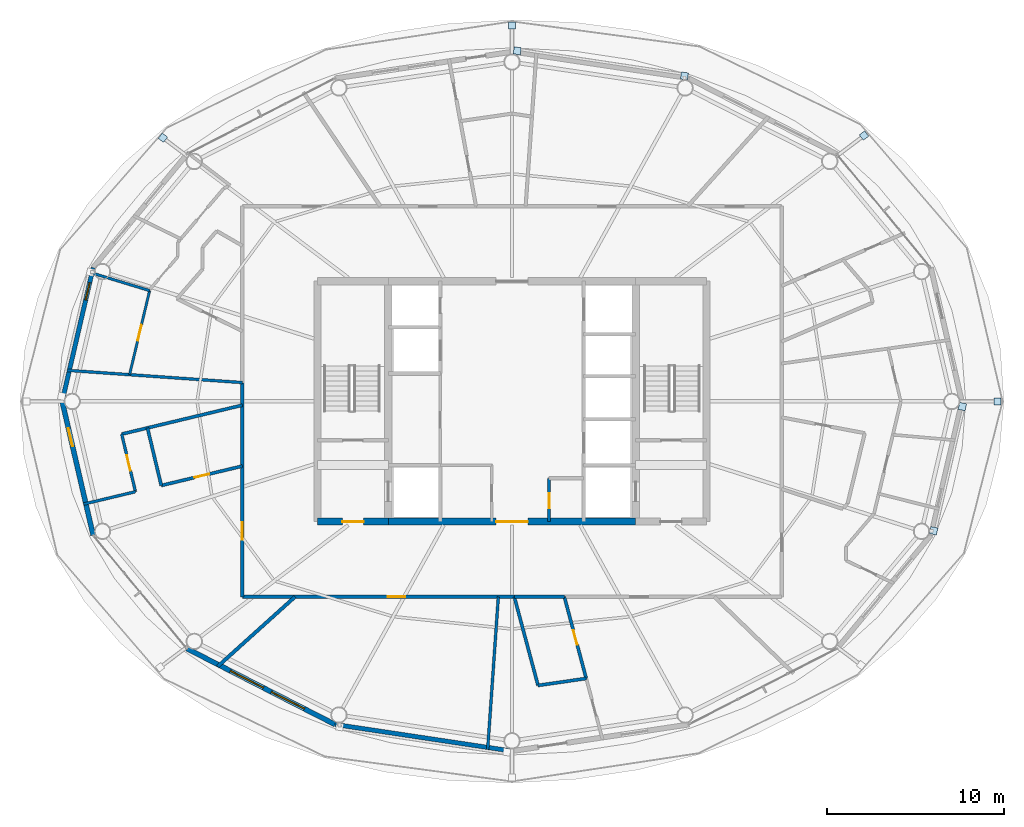
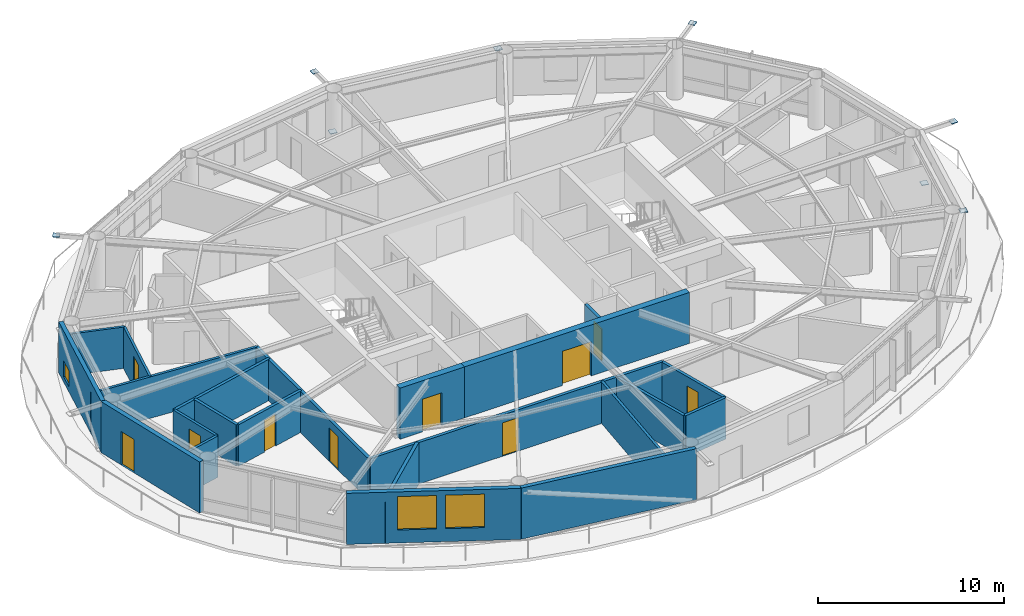
# One storey, part 15 of 22: 23 walls, 10 doors, 8 plates, 3 windows, 13 openings.
"""IFC4 building model written with IfcOpenShell, lengths in metres."""

from ifc_helpers import new_model, si_unit, direction, frame, frame_2d, origin, origin_2d, place, context, subcontext, project, spatial, rectangle, extrude, material, layer, layer_set, type_object, element, fill, save


model = new_model("IFC4")

# Units and contexts
model_context = context("Model", 3, precision=1e-05, world=origin(), true_north=direction((0.0, 1.0)))
body_context = subcontext(model_context, "Body", "Model", "MODEL_VIEW")
ifc_project = project(units=[si_unit("LENGTHUNIT", "METRE"), si_unit("AREAUNIT", "SQUARE_METRE"), si_unit("VOLUMEUNIT", "CUBIC_METRE"), si_unit("PLANEANGLEUNIT", "RADIAN"), si_unit("MASSUNIT", "GRAM", prefix="KILO")], contexts=[model_context])

# Site, building, storey
site_placement = place(None, origin())
site = spatial("IfcSite", under=ifc_project, at=site_placement, CompositionType="ELEMENT")
building_placement = place(site_placement, origin())
building = spatial("IfcBuilding", under=site, at=building_placement, Name="Sarneth Arch Tower", CompositionType="ELEMENT")
storey_placement = place(building_placement, frame((0.0, 0.0, 210.0)))
storey = spatial("IfcBuildingStorey", under=building, at=storey_placement, Name="L53", CompositionType="ELEMENT", Elevation=210.0)

# Plates
ifc_material_1 = material(Name="Steel S355", Category="steel")
ifc_layer_1 = layer(ifc_material_1, 0.035888671875)
ifc_layer_set_1 = layer_set([ifc_layer_1], Name="Steel S355")
plate_type = type_object("IfcPlateType", Name="PLT-GUSSET-30", PredefinedType="SHEET", material=ifc_layer_set_1)
for number, where, z_axis, x_axis, name in (
    (1, (75.463134765625, 42.0, 3.18212890625), (0.0, 0.0, 1.0), (1.0, 0.0, 0.0), "Steel end cap plate GP-1"),
    (2, (67.91259765625, 57.039794921875, 3.18212890625), (0.0, 0.0, 1.0), (0.798004853043, 0.602651022168, 0.0), "Steel end cap plate GP-1"),
):
    element("IfcPlate", number, at=place(storey_placement, frame(where, z_axis=z_axis, x_axis=x_axis)), inside=storey, type_object=plate_type, Name=name, PredefinedType="SHEET", context=body_context, shape_type="SweptSolid", body=[
        extrude(rectangle(XDim=0.3798828125, YDim=0.3798828125, at=origin_2d()), origin(), (0.0, 0.0, 1.0), 0.035888671875),
    ])
for number, where, z_axis, x_axis, name in (
    (3, (48.296630859375, 61.83544921875, 0.001953125), (0.0, 0.0, 1.0), (-0.988860535448, 0.148845024885, 0.0), "Steel end cap plate GP-1"),
    (4, (57.754150390625, 60.411376953125, 3.0185546875), (0.0, 0.0, 1.0), (-0.988860535448, 0.148845024885, 0.0), "Steel end cap plate GP-1"),
):
    element("IfcPlate", number, at=place(storey_placement, frame(where, z_axis=z_axis, x_axis=x_axis)), inside=storey, type_object=plate_type, Name=name, PredefinedType="SHEET", context=body_context, shape_type="SweptSolid", body=[
        extrude(rectangle(XDim=0.404052734375, YDim=0.404052734375, at=origin_2d()), origin(), (0.0, 0.0, 1.0), 0.035888671875),
    ])
for number, where, z_axis, x_axis, name in (
    (5, (48.0, 63.27001953125, 3.18212890625), (0.0, 0.0, 1.0), (0.0, 1.0, 0.0), "Steel end cap plate GP-1"),
    (6, (28.251708984375, 56.91552734375, 3.18212890625), (0.0, 0.0, 1.0), (-0.798004853043, 0.602651022168, 0.0), "Steel end cap plate GP-1"),
):
    element("IfcPlate", number, at=place(storey_placement, frame(where, z_axis=z_axis, x_axis=x_axis)), inside=storey, type_object=plate_type, Name=name, PredefinedType="SHEET", context=body_context, shape_type="SweptSolid", body=[
        extrude(rectangle(XDim=0.3798828125, YDim=0.3798828125, at=origin_2d()), origin(), (0.0, 0.0, 1.0), 0.035888671875),
    ])
for number, where, z_axis, x_axis, name in (
    (7, (73.4765625, 41.707763671875, 0.001953125), (0.0, 0.0, 1.0), (0.225461202458, 0.974252147129, 0.0), "Steel end cap plate GP-1"),
    (8, (71.851806640625, 34.6845703125, 3.0185546875), (0.0, 0.0, 1.0), (0.225461202458, 0.974252147129, 0.0), "Steel end cap plate GP-1"),
):
    element("IfcPlate", number, at=place(storey_placement, frame(where, z_axis=z_axis, x_axis=x_axis)), inside=storey, type_object=plate_type, Name=name, PredefinedType="SHEET", context=body_context, shape_type="SweptSolid", body=[
        extrude(rectangle(XDim=0.404052734375, YDim=0.404052734375, at=origin_2d()), origin(), (0.0, 0.0, 1.0), 0.035888671875),
    ])

# Wall, opening, door
ifc_material_2 = material(Name="Concrete C50/60", Category="concrete")
ifc_layer_2 = layer(ifc_material_2, 0.39990234375)
ifc_layer_set_2 = layer_set([ifc_layer_2], Name="Concrete C50/60")
wall_type_1 = type_object("IfcWallType", Name="WALL-CORE-400", PredefinedType="SHEAR", material=ifc_layer_set_2)
wall_1_placement = place(storey_placement, frame((37.0, 35.199951171875, 0.0), z_axis=(0.0, 0.0, 1.0), x_axis=(1.0, 0.0, 0.0)))
wall_1 = element("IfcWall", 9, at=wall_1_placement, inside=storey, type_object=wall_type_1, Name="L53 Core shear wall S-W", PredefinedType="SHEAR", context=body_context, shape_type="SweptSolid", body=[
    extrude(rectangle(XDim=4.0, YDim=0.39990234375, at=frame_2d((2.0, 0.0))), origin(), (0.0, 0.0, 1.0), 3.360107421875),
])
opening_1_placement = place(wall_1_placement, frame((1.39990234375, 0.0, 0.0)))
opening_1 = element("IfcOpeningElement", 10, at=opening_1_placement, cuts=wall_1, Name="Opening FD-02", PredefinedType="OPENING", context=body_context, shape_type="SweptSolid", body=[
    extrude(rectangle(XDim=1.199951171875, YDim=2.14990234375, at=frame_2d((0.60009765625, 1.074951171875))), frame((0.0, 0.2099609375, 0.0), z_axis=(0.0, -1.0, 0.0), x_axis=(1.0, 0.0, 0.0)), (0.0, 0.0, 1.0), 0.419921875),
])
ifc_material_3 = material(Name="Galvanised Steel S275 fire door set", Category="steel")
door_type_1 = type_object("IfcDoorType", Name="DR-FD90-1200", OperationType="SINGLE_SWING_LEFT", PredefinedType="DOOR", material=ifc_material_3)
door_1_placement = place(opening_1_placement, origin())
door_1 = element("IfcDoor", 11, at=door_1_placement, inside=storey, type_object=door_type_1, Name="L53 Firefighting lobby 1 exit door", OperationType="SINGLE_SWING_LEFT", OverallHeight=2.14990234375, OverallWidth=1.199951171875, PredefinedType="DOOR", context=body_context, shape_type="SweptSolid", body=[
    extrude(rectangle(XDim=1.199951171875, YDim=2.14990234375, at=frame_2d((0.60009765625, 1.074951171875))), frame((0.0, 0.02490234375, 0.0), z_axis=(0.0, -1.0, 0.0), x_axis=(1.0, 0.0, 0.0)), (0.0, 0.0, 1.0), 0.050048828125),
])
fill(opening_1, door_1)

wall_2_placement = place(storey_placement, frame((41.0, 35.199951171875, 0.0), z_axis=(0.0, 0.0, 1.0), x_axis=(1.0, 0.0, 0.0)))
wall_2 = element("IfcWall", 12, at=wall_2_placement, inside=storey, type_object=wall_type_1, Name="L53 Core shear wall S-M", PredefinedType="SHEAR", context=body_context, shape_type="SweptSolid", body=[
    extrude(rectangle(XDim=14.0, YDim=0.39990234375, at=frame_2d((7.0, 0.0))), origin(), (0.0, 0.0, 1.0), 3.360107421875),
])
opening_2_placement = place(wall_2_placement, frame((6.10009765625, 0.0, 0.0)))
opening_2 = element("IfcOpeningElement", 13, at=opening_2_placement, cuts=wall_2, Name="Opening FD-01", PredefinedType="OPENING", context=body_context, shape_type="SweptSolid", body=[
    extrude(rectangle(XDim=1.800048828125, YDim=2.25, at=frame_2d((0.89990234375, 1.125))), frame((0.0, 0.2099609375, 0.0), z_axis=(0.0, -1.0, 0.0), x_axis=(1.0, 0.0, 0.0)), (0.0, 0.0, 1.0), 0.419921875),
])
ifc_material_4 = material(Name="Galvanised Steel S275 fire door set", Category="steel")
door_type_2 = type_object("IfcDoorType", Name="DR-FD90-1800", OperationType="DOUBLE_DOOR_SINGLE_SWING", PredefinedType="DOOR", material=ifc_material_4)
door_2_placement = place(opening_2_placement, origin())
door_2 = element("IfcDoor", 14, at=door_2_placement, inside=storey, type_object=door_type_2, Name="L53 Central lift lobby south door", OperationType="DOUBLE_DOOR_SINGLE_SWING", OverallHeight=2.25, OverallWidth=1.800048828125, PredefinedType="DOOR", context=body_context, shape_type="SweptSolid", body=[
    extrude(rectangle(XDim=1.800048828125, YDim=2.25, at=frame_2d((0.89990234375, 1.125))), frame((0.0, 0.02490234375, 0.0), z_axis=(0.0, -1.0, 0.0), x_axis=(1.0, 0.0, 0.0)), (0.0, 0.0, 1.0), 0.050048828125),
])
fill(opening_2, door_2)

ifc_material_5 = material(Name="Double steel-stud corridor fire wall", Category="steel")
ifc_layer_3 = layer(ifc_material_5, 0.18994140625)
ifc_layer_set_3 = layer_set([ifc_layer_3], Name="Double steel-stud corridor fire wall")
wall_type_2 = type_object("IfcWallType", Name="WALL-CORR-190", PredefinedType="PARTITIONING", material=ifc_layer_set_3)
wall_3_placement = place(storey_placement, frame((48.162353515625, 30.949951171875, 0.0), z_axis=(0.0, 0.0, 1.0), x_axis=(-1.0, 0.0, 0.0)))
wall_3 = element("IfcWall", 15, at=wall_3_placement, inside=storey, type_object=wall_type_2, Name="L53 Interior partition W-L53-TP-016", PredefinedType="PARTITIONING", context=body_context, shape_type="SweptSolid", body=[
    extrude(rectangle(XDim=15.412353515625, YDim=0.18994140625, at=frame_2d((7.7060546875, 0.0))), origin(), (0.0, 0.0, 1.0), 2.719970703125),
])
opening_3_placement = place(wall_3_placement, frame((6.192626953125, 0.0, 0.0)))
opening_3 = element("IfcOpeningElement", 16, at=opening_3_placement, cuts=wall_3, Name="Opening FD-08", PredefinedType="OPENING", context=body_context, shape_type="SweptSolid", body=[
    extrude(rectangle(XDim=1.0, YDim=2.199951171875, at=frame_2d((0.5, 1.10009765625))), frame((0.0, 0.10498046875, 0.0), z_axis=(0.0, -1.0, 0.0), x_axis=(1.0, 0.0, 0.0)), (0.0, 0.0, 1.0), 0.2099609375),
])
ifc_material_6 = material(Name="Hardwood timber acoustic fire door", Category="wood")
door_type_3 = type_object("IfcDoorType", Name="DR-FD60-1000", OperationType="SINGLE_SWING_LEFT", PredefinedType="DOOR", material=ifc_material_6)
door_3_placement = place(opening_3_placement, origin())
door_3 = element("IfcDoor", 17, at=door_3_placement, inside=storey, type_object=door_type_3, Name="L53 Interior door DR-L53-RAMN-06", OperationType="SINGLE_SWING_RIGHT", OverallHeight=2.199951171875, OverallWidth=1.0, PredefinedType="DOOR", context=body_context, shape_type="SweptSolid", body=[
    extrude(rectangle(XDim=1.0, YDim=2.199951171875, at=frame_2d((0.5, 1.10009765625))), frame((0.0, 0.02490234375, 0.0), z_axis=(0.0, -1.0, 0.0), x_axis=(1.0, 0.0, 0.0)), (0.0, 0.0, 1.0), 0.050048828125),
])
fill(opening_3, door_3)

wall_4_placement = place(storey_placement, frame((32.75, 30.949951171875, 0.0), z_axis=(0.0, 0.0, 1.0), x_axis=(0.0, 1.0, 0.0)))
wall_4 = element("IfcWall", 18, at=wall_4_placement, inside=storey, type_object=wall_type_2, Name="L53 Interior partition W-L53-TP-013", PredefinedType="PARTITIONING", context=body_context, shape_type="SweptSolid", body=[
    extrude(rectangle(XDim=12.1484375, YDim=0.18994140625, at=frame_2d((6.07421875, 0.0))), origin(), (0.0, 0.0, 1.0), 2.719970703125),
])
opening_4_placement = place(wall_4_placement, frame((3.213623046875, 0.0, 0.0)))
opening_4 = element("IfcOpeningElement", 19, at=opening_4_placement, cuts=wall_4, Name="Opening FD-08", PredefinedType="OPENING", context=body_context, shape_type="SweptSolid", body=[
    extrude(rectangle(XDim=1.0, YDim=2.199951171875, at=frame_2d((0.5, 1.10009765625))), frame((0.0, 0.10498046875, 0.0), z_axis=(0.0, -1.0, 0.0), x_axis=(1.0, 0.0, 0.0)), (0.0, 0.0, 1.0), 0.2099609375),
])
door_4_placement = place(opening_4_placement, origin())
door_4 = element("IfcDoor", 20, at=door_4_placement, inside=storey, type_object=door_type_3, Name="L53 Interior door DR-L53-U5-ENT", OperationType="SINGLE_SWING_RIGHT", OverallHeight=2.199951171875, OverallWidth=1.0, PredefinedType="DOOR", context=body_context, shape_type="SweptSolid", body=[
    extrude(rectangle(XDim=1.0, YDim=2.199951171875, at=frame_2d((0.5, 1.10009765625))), frame((0.0, 0.02490234375, 0.0), z_axis=(0.0, -1.0, 0.0), x_axis=(1.0, 0.0, 0.0)), (0.0, 0.0, 1.0), 0.050048828125),
])
fill(opening_4, door_4)

# Wall, opening, window
ifc_material_7 = material(Name="Extruded terracotta rainscreen on Concrete C40/50 backing", Category="masonry")
ifc_layer_4 = layer(ifc_material_7, 0.25)
ifc_layer_set_4 = layer_set([ifc_layer_4], Name="Extruded terracotta rainscreen on Concrete C40/50 backing")
wall_type_3 = type_object("IfcWallType", Name="WALL-EXT-SPAND-250", PredefinedType="SOLIDWALL", material=ifc_layer_set_4)
wall_5_placement = place(storey_placement, frame((24.30615234375, 49.569580078125, 0.0), z_axis=(0.0, 0.0, 1.0), x_axis=(-0.225635078214, -0.974211892495, 0.0)))
wall_5 = element("IfcWall", 21, at=wall_5_placement, inside=storey, type_object=wall_type_3, Name="L53 Terracotta perimeter wall 08", PredefinedType="SOLIDWALL", context=body_context, shape_type="SweptSolid", body=[
    extrude(rectangle(XDim=7.77001953125, YDim=0.25, at=frame_2d((3.885009765625, 0.0))), origin(), (0.0, 0.0, 1.0), 3.360107421875),
])
opening_5_placement = place(wall_5_placement, frame((0.877685546875, 0.0, 0.35009765625)))
opening_5 = element("IfcOpeningElement", 22, at=opening_5_placement, cuts=wall_5, Name="Opening W-14", PredefinedType="OPENING", context=body_context, shape_type="SweptSolid", body=[
    extrude(rectangle(XDim=1.0, YDim=1.050048828125, at=frame_2d((0.5, 0.52490234375))), frame((0.0, 0.135009765625, 0.0), z_axis=(0.0, -1.0, 0.0), x_axis=(1.0, 0.0, 0.0)), (0.0, 0.0, 1.0), 0.27001953125),
])
ifc_material_8 = material(Name="Thermally broken Aluminium 6063-T6 and low-e laminated IGU", Category="aluminium")
window_type_1 = type_object("IfcWindowType", Name="WIN-TWR-1000x1050", PartitioningType="SINGLE_PANEL", PredefinedType="WINDOW", material=ifc_material_8)
window_1_placement = place(opening_5_placement, origin())
window_1 = element("IfcWindow", 23, at=window_1_placement, inside=storey, type_object=window_type_1, Name="L53 Dwelling bedroom window 01", OverallHeight=1.050048828125, OverallWidth=1.0, PartitioningType="SINGLE_PANEL", PredefinedType="WINDOW", context=body_context, shape_type="SweptSolid", body=[
    extrude(rectangle(XDim=1.0, YDim=1.050048828125, at=frame_2d((0.5, 0.52490234375))), frame((0.0, 0.030029296875, 0.0), z_axis=(0.0, -1.0, 0.0), x_axis=(1.0, 0.0, 0.0)), (0.0, 0.0, 1.0), 0.06005859375),
])
fill(opening_5, window_1)

# Wall
wall_6_placement = place(storey_placement, frame((37.9873046875, 23.7255859375, 0.0), z_axis=(0.0, 0.0, 1.0), x_axis=(0.988882522213, -0.148698881169, 0.0)))
element("IfcWall", 24, at=wall_6_placement, inside=storey, type_object=wall_type_3, Name="L53 Terracotta perimeter wall 12", PredefinedType="SOLIDWALL", context=body_context, shape_type="SweptSolid", body=[
    extrude(rectangle(XDim=10.125244140625, YDim=0.25, at=frame_2d((5.0625, 0.0))), origin(), (0.0, 0.0, 1.0), 3.360107421875),
])

# Wall, opening, door
ifc_material_9 = material(Name="Extruded terracotta rainscreen on Concrete C40/50 backing", Category="masonry")
ifc_layer_5 = layer(ifc_material_9, 0.280029296875)
ifc_layer_set_5 = layer_set([ifc_layer_5], Name="Extruded terracotta rainscreen on Concrete C40/50 backing")
wall_type_4 = type_object("IfcWallType", Name="WALL-EXT-TERRA-280", PredefinedType="SOLIDWALL", material=ifc_layer_set_5)
wall_7_placement = place(storey_placement, frame((22.552978515625, 42.0, 0.0), z_axis=(0.0, 0.0, 1.0), x_axis=(0.225635078214, -0.974211892495, 0.0)))
wall_7 = element("IfcWall", 25, at=wall_7_placement, inside=storey, type_object=wall_type_4, Name="L53 Terracotta perimeter wall 09", PredefinedType="SOLIDWALL", context=body_context, shape_type="SweptSolid", body=[
    extrude(rectangle(XDim=7.77001953125, YDim=0.280029296875, at=frame_2d((3.885009765625, 0.0))), origin(), (0.0, 0.0, 1.0), 3.360107421875),
])
opening_6_placement = place(wall_7_placement, frame((1.55712890625, 0.0, 0.0)))
opening_6 = element("IfcOpeningElement", 26, at=opening_6_placement, cuts=wall_7, Name="Opening BD-4", PredefinedType="OPENING", context=body_context, shape_type="SweptSolid", body=[
    extrude(rectangle(XDim=1.050048828125, YDim=2.199951171875, at=frame_2d((0.52490234375, 1.10009765625))), frame((0.0, 0.14990234375, 0.0), z_axis=(0.0, -1.0, 0.0), x_axis=(1.0, 0.0, 0.0)), (0.0, 0.0, 1.0), 0.300048828125),
])
ifc_material_10 = material(Name="Thermally broken Aluminium 6063-T6 and laminated safety glass", Category="aluminium")
door_type_4 = type_object("IfcDoorType", Name="DR-BALC-GLZ-1050", OperationType="SINGLE_SWING_RIGHT", PredefinedType="DOOR", material=ifc_material_10)
door_5_placement = place(opening_6_placement, origin())
door_5 = element("IfcDoor", 27, at=door_5_placement, inside=storey, type_object=door_type_4, Name="L53 Balcony glazed door 09", OperationType="SINGLE_SWING_RIGHT", OverallHeight=2.199951171875, OverallWidth=1.050048828125, PredefinedType="DOOR", context=body_context, shape_type="SweptSolid", body=[
    extrude(rectangle(XDim=1.050048828125, YDim=2.199951171875, at=frame_2d((0.52490234375, 1.10009765625))), frame((0.0, 0.02490234375, 0.0), z_axis=(0.0, -1.0, 0.0), x_axis=(1.0, 0.0, 0.0)), (0.0, 0.0, 1.0), 0.050048828125),
])
fill(opening_6, door_5)

# Wall, openings, windows
wall_8_placement = place(storey_placement, frame((29.617431640625, 28.013427734375, 0.0), z_axis=(0.0, 0.0, 1.0), x_axis=(0.890007394051, -0.455946091699, 0.0)))
wall_8 = element("IfcWall", 28, at=wall_8_placement, inside=storey, type_object=wall_type_4, Name="L53 Terracotta perimeter wall 11", PredefinedType="SOLIDWALL", context=body_context, shape_type="SweptSolid", body=[
    extrude(rectangle(XDim=9.404296875, YDim=0.280029296875, at=frame_2d((4.7021484375, 0.0))), origin(), (0.0, 0.0, 1.0), 3.360107421875),
])
opening_7_placement = place(wall_8_placement, frame((2.750732421875, 0.0, 0.85009765625)))
opening_7 = element("IfcOpeningElement", 29, at=opening_7_placement, cuts=wall_8, Name="Opening W-03", PredefinedType="OPENING", context=body_context, shape_type="SweptSolid", body=[
    extrude(rectangle(XDim=2.10009765625, YDim=2.199951171875, at=frame_2d((1.050048828125, 1.10009765625))), frame((0.0, 0.14990234375, 0.0), z_axis=(0.0, -1.0, 0.0), x_axis=(1.0, 0.0, 0.0)), (0.0, 0.0, 1.0), 0.300048828125),
])
opening_8_placement = place(wall_8_placement, frame((5.35400390625, 0.0, 0.85009765625)))
opening_8 = element("IfcOpeningElement", 30, at=opening_8_placement, cuts=wall_8, Name="Opening W-03", PredefinedType="OPENING", context=body_context, shape_type="SweptSolid", body=[
    extrude(rectangle(XDim=2.10009765625, YDim=2.199951171875, at=frame_2d((1.050048828125, 1.10009765625))), frame((0.0, 0.14990234375, 0.0), z_axis=(0.0, -1.0, 0.0), x_axis=(1.0, 0.0, 0.0)), (0.0, 0.0, 1.0), 0.300048828125),
])
ifc_material_11 = material(Name="Thermally broken Aluminium 6063-T6 and low-e laminated IGU", Category="aluminium")
window_type_2 = type_object("IfcWindowType", Name="WIN-TWR-2100x2200", PartitioningType="DOUBLE_PANEL_VERTICAL", PredefinedType="WINDOW", material=ifc_material_11)
window_2_placement = place(opening_7_placement, origin())
window_2 = element("IfcWindow", 31, at=window_2_placement, inside=storey, type_object=window_type_2, Name="L53 Exterior window 11A", OverallHeight=2.199951171875, OverallWidth=2.10009765625, PartitioningType="SINGLE_PANEL", PredefinedType="WINDOW", context=body_context, shape_type="SweptSolid", body=[
    extrude(rectangle(XDim=2.10009765625, YDim=2.199951171875, at=frame_2d((1.050048828125, 1.10009765625))), frame((0.0, 0.030029296875, 0.0), z_axis=(0.0, -1.0, 0.0), x_axis=(1.0, 0.0, 0.0)), (0.0, 0.0, 1.0), 0.06005859375),
])
fill(opening_7, window_2)
window_3_placement = place(opening_8_placement, origin())
window_3 = element("IfcWindow", 32, at=window_3_placement, inside=storey, type_object=window_type_2, Name="L53 Exterior window 11B", OverallHeight=2.199951171875, OverallWidth=2.10009765625, PartitioningType="SINGLE_PANEL", PredefinedType="WINDOW", context=body_context, shape_type="SweptSolid", body=[
    extrude(rectangle(XDim=2.10009765625, YDim=2.199951171875, at=frame_2d((1.050048828125, 1.10009765625))), frame((0.0, 0.030029296875, 0.0), z_axis=(0.0, -1.0, 0.0), x_axis=(1.0, 0.0, 0.0)), (0.0, 0.0, 1.0), 0.06005859375),
])
fill(opening_8, window_3)

# Wall, opening, door
ifc_material_12 = material(Name="Apartment internal stud partition", Category="gypsum")
ifc_layer_6 = layer(ifc_material_12, 0.139892578125)
ifc_layer_set_6 = layer_set([ifc_layer_6], Name="Apartment internal stud partition")
wall_type_5 = type_object("IfcWallType", Name="WALL-PART-140", PredefinedType="PARTITIONING", material=ifc_layer_set_6)
wall_9_placement = place(storey_placement, frame((27.50048828125, 48.267333984375, 0.0), z_axis=(0.0, 0.0, 1.0), x_axis=(-0.232297954947, -0.972644673109, 0.0)))
wall_9 = element("IfcWall", 33, at=wall_9_placement, inside=storey, type_object=wall_type_5, Name="L53 Interior partition W-L53-TP-050", PredefinedType="PARTITIONING", context=body_context, shape_type="SweptSolid", body=[
    extrude(rectangle(XDim=4.88818359375, YDim=0.139892578125, at=frame_2d((2.444091796875, 0.0))), origin(), (0.0, 0.0, 1.0), 2.719970703125),
])
opening_9_placement = place(wall_9_placement, frame((1.994140625, 0.0, 0.0)))
opening_9 = element("IfcOpeningElement", 34, at=opening_9_placement, cuts=wall_9, Name="Opening ID-01", PredefinedType="OPENING", context=body_context, shape_type="SweptSolid", body=[
    extrude(rectangle(XDim=0.89990234375, YDim=2.10009765625, at=frame_2d((0.449951171875, 1.050048828125))), frame((0.0, 0.079833984375, 0.0), z_axis=(0.0, -1.0, 0.0), x_axis=(1.0, 0.0, 0.0)), (0.0, 0.0, 1.0), 0.159912109375),
])
ifc_material_13 = material(Name="Engineered hardwood flush door", Category="wood")
door_type_5 = type_object("IfcDoorType", Name="DR-INT-900", OperationType="SINGLE_SWING_LEFT", PredefinedType="DOOR", material=ifc_material_13)
door_6_placement = place(opening_9_placement, origin())
door_6 = element("IfcDoor", 35, at=door_6_placement, inside=storey, type_object=door_type_5, Name="L53 Interior door DR-L53-U4-BED2", OperationType="SINGLE_SWING_RIGHT", OverallHeight=2.10009765625, OverallWidth=0.89990234375, PredefinedType="DOOR", context=body_context, shape_type="SweptSolid", body=[
    extrude(rectangle(XDim=0.89990234375, YDim=2.10009765625, at=frame_2d((0.449951171875, 1.050048828125))), frame((0.0, 0.02490234375, 0.0), z_axis=(0.0, -1.0, 0.0), x_axis=(1.0, 0.0, 0.0)), (0.0, 0.0, 1.0), 0.050048828125),
])
fill(opening_9, door_6)

# Walls
ifc_material_14 = material(Name="Acoustic gypsum stud partition", Category="gypsum")
ifc_layer_7 = layer(ifc_material_14, 0.14990234375)
ifc_layer_set_7 = layer_set([ifc_layer_7], Name="Acoustic gypsum stud partition")
wall_type_6 = type_object("IfcWallType", Name="WALL-PART-150", PredefinedType="PARTITIONING", material=ifc_layer_set_7)
wall_10_placement = place(storey_placement, frame((27.50048828125, 48.267333984375, 0.0), z_axis=(0.0, 0.0, 1.0), x_axis=(-0.956303289689, 0.292376500647, 0.0)))
element("IfcWall", 36, at=wall_10_placement, inside=storey, type_object=wall_type_6, Name="L53 Interior partition W-L53-TP-053", PredefinedType="PARTITIONING", context=body_context, shape_type="SweptSolid", body=[
    extrude(rectangle(XDim=3.53369140625, YDim=0.14990234375, at=frame_2d((1.766845703125, 0.0))), origin(), (0.0, 0.0, 1.0), 2.719970703125),
])
ifc_material_15 = material(Name="Kitchen wet service chase wall", Category="gypsum")
ifc_layer_8 = layer(ifc_material_15, 0.159912109375)
ifc_layer_set_8 = layer_set([ifc_layer_8], Name="Kitchen wet service chase wall")
wall_type_7 = type_object("IfcWallType", Name="WALL-PLUMB-160", PredefinedType="PLUMBINGWALL", material=ifc_layer_set_8)
wall_11_placement = place(storey_placement, frame((47.227294921875, 30.949951171875, 0.0), z_axis=(0.0, 0.0, 1.0), x_axis=(-0.069763237321, -0.997563577281, 0.0)))
element("IfcWall", 37, at=wall_11_placement, inside=storey, type_object=wall_type_7, Name="L53 Interior partition W-L53-TP-062", PredefinedType="PLUMBINGWALL", context=body_context, shape_type="SweptSolid", body=[
    extrude(rectangle(XDim=8.664794921875, YDim=0.159912109375, at=frame_2d((4.33251953125, 0.0))), origin(), (0.0, 0.0, 1.0), 2.719970703125),
])
wall_12_placement = place(storey_placement, frame((22.8388671875, 43.759521484375, 0.0), z_axis=(0.0, 0.0, 1.0), x_axis=(0.997563620801, -0.069762615023, 0.0)))
element("IfcWall", 38, at=wall_12_placement, inside=storey, type_object=wall_type_7, Name="L53 Interior partition W-L53-TP-051", PredefinedType="PLUMBINGWALL", context=body_context, shape_type="SweptSolid", body=[
    extrude(rectangle(XDim=9.935302734375, YDim=0.159912109375, at=frame_2d((4.9677734375, 0.0))), origin(), (0.0, 0.0, 1.0), 2.719970703125),
])

# Wall, opening, door
wall_13_placement = place(storey_placement, frame((25.919921875, 40.15185546875, 0.0), z_axis=(0.0, 0.0, 1.0), x_axis=(0.233075240748, -0.972458704599, 0.0)))
wall_13 = element("IfcWall", 39, at=wall_13_placement, inside=storey, type_object=wall_type_7, Name="L53 Interior partition W-L53-TP-058", PredefinedType="PLUMBINGWALL", context=body_context, shape_type="SweptSolid", body=[
    extrude(rectangle(XDim=3.349853515625, YDim=0.159912109375, at=frame_2d((1.6748046875, 0.0))), origin(), (0.0, 0.0, 1.0), 2.719970703125),
])
opening_10_placement = place(wall_13_placement, frame((1.224853515625, 0.0, 0.0)))
opening_10 = element("IfcOpeningElement", 40, at=opening_10_placement, cuts=wall_13, Name="Opening ID-01", PredefinedType="OPENING", context=body_context, shape_type="SweptSolid", body=[
    extrude(rectangle(XDim=0.89990234375, YDim=2.10009765625, at=frame_2d((0.449951171875, 1.050048828125))), frame((0.0, 0.08984375, 0.0), z_axis=(0.0, -1.0, 0.0), x_axis=(1.0, 0.0, 0.0)), (0.0, 0.0, 1.0), 0.179931640625),
])
door_7_placement = place(opening_10_placement, origin())
door_7 = element("IfcDoor", 41, at=door_7_placement, inside=storey, type_object=door_type_5, Name="L53 Interior door DR-L53-U5-KIT", OperationType="SINGLE_SWING_LEFT", OverallHeight=2.10009765625, OverallWidth=0.89990234375, PredefinedType="DOOR", context=body_context, shape_type="SweptSolid", body=[
    extrude(rectangle(XDim=0.89990234375, YDim=2.10009765625, at=frame_2d((0.449951171875, 1.050048828125))), frame((0.0, 0.02490234375, 0.0), z_axis=(0.0, -1.0, 0.0), x_axis=(1.0, 0.0, 0.0)), (0.0, 0.0, 1.0), 0.050048828125),
])
fill(opening_10, door_7)

# Wall
wall_14_placement = place(storey_placement, frame((26.70068359375, 36.894287109375, 0.0), z_axis=(0.0, 0.0, 1.0), x_axis=(-0.972463854185, -0.233053754107, 0.0)))
element("IfcWall", 42, at=wall_14_placement, inside=storey, type_object=wall_type_7, Name="L53 Interior partition W-L53-TP-059", PredefinedType="PLUMBINGWALL", context=body_context, shape_type="SweptSolid", body=[
    extrude(rectangle(XDim=3.008544921875, YDim=0.159912109375, at=frame_2d((1.50439453125, 0.0))), origin(), (0.0, 0.0, 1.0), 2.719970703125),
])

# Wall, opening, door
ifc_material_16 = material(Name="Moisture-resistant plumbing chase wall", Category="gypsum")
ifc_layer_9 = layer(ifc_material_16, 0.179931640625)
ifc_layer_set_9 = layer_set([ifc_layer_9], Name="Moisture-resistant plumbing chase wall")
wall_type_8 = type_object("IfcWallType", Name="WALL-PLUMB-180", PredefinedType="PLUMBINGWALL", material=ifc_layer_set_9)
wall_15_placement = place(storey_placement, frame((50.10009765625, 35.199951171875, 0.0), z_axis=(0.0, 0.0, 1.0), x_axis=(0.0, 1.0, 0.0)))
wall_15 = element("IfcWall", 43, at=wall_15_placement, inside=storey, type_object=wall_type_8, Name="L53 Interior partition W-L53-AWC-W", PredefinedType="PLUMBINGWALL", context=body_context, shape_type="SweptSolid", body=[
    extrude(rectangle(XDim=2.449951171875, YDim=0.179931640625, at=frame_2d((1.22509765625, 0.0))), origin(), (0.0, 0.0, 1.0), 2.719970703125),
])
opening_11_placement = place(wall_15_placement, frame((0.75, 0.0, 0.0)))
opening_11 = element("IfcOpeningElement", 44, at=opening_11_placement, cuts=wall_15, Name="Opening ID-02", PredefinedType="OPENING", context=body_context, shape_type="SweptSolid", body=[
    extrude(rectangle(XDim=0.85009765625, YDim=2.10009765625, at=frame_2d((0.425048828125, 1.050048828125))), frame((0.0, 0.099853515625, 0.0), z_axis=(0.0, -1.0, 0.0), x_axis=(1.0, 0.0, 0.0)), (0.0, 0.0, 1.0), 0.199951171875),
])
ifc_material_17 = material(Name="Moisture-resistant bathroom timber door", Category="wood")
door_type_6 = type_object("IfcDoorType", Name="DR-INT-850", OperationType="SINGLE_SWING_RIGHT", PredefinedType="DOOR", material=ifc_material_17)
door_8_placement = place(opening_11_placement, origin())
door_8 = element("IfcDoor", 45, at=door_8_placement, inside=storey, type_object=door_type_6, Name="L53 Interior door DR-L53-AWC", OperationType="SINGLE_SWING_RIGHT", OverallHeight=2.10009765625, OverallWidth=0.85009765625, PredefinedType="DOOR", context=body_context, shape_type="SweptSolid", body=[
    extrude(rectangle(XDim=0.85009765625, YDim=2.10009765625, at=frame_2d((0.425048828125, 1.050048828125))), frame((0.0, 0.02490234375, 0.0), z_axis=(0.0, -1.0, 0.0), x_axis=(1.0, 0.0, 0.0)), (0.0, 0.0, 1.0), 0.050048828125),
])
fill(opening_11, door_8)

# Walls
wall_16_placement = place(storey_placement, frame((32.75, 41.7890625, 0.0), z_axis=(0.0, 0.0, 1.0), x_axis=(-0.97245226222, -0.233102118618, 0.0)))
element("IfcWall", 46, at=wall_16_placement, inside=storey, type_object=wall_type_8, Name="L53 Interior partition W-L53-TP-061", PredefinedType="PLUMBINGWALL", context=body_context, shape_type="SweptSolid", body=[
    extrude(rectangle(XDim=7.023681640625, YDim=0.179931640625, at=frame_2d((3.51171875, 0.0))), origin(), (0.0, 0.0, 1.0), 2.719970703125),
])
wall_17_placement = place(storey_placement, frame((49.473388671875, 25.933349609375, 0.0), z_axis=(0.0, 0.0, 1.0), x_axis=(-0.258826939486, 0.965923710961, 0.0)))
element("IfcWall", 47, at=wall_17_placement, inside=storey, type_object=wall_type_8, Name="L53 Interior partition W-L53-TP-067", PredefinedType="PLUMBINGWALL", context=body_context, shape_type="SweptSolid", body=[
    extrude(rectangle(XDim=5.193603515625, YDim=0.179931640625, at=frame_2d((2.5966796875, 0.0))), origin(), (0.0, 0.0, 1.0), 2.719970703125),
])

# Wall, opening, door
wall_18_placement = place(storey_placement, frame((50.960693359375, 30.949951171875, 0.0), z_axis=(0.0, 0.0, 1.0), x_axis=(0.258827893949, -0.965923455204, 0.0)))
wall_18 = element("IfcWall", 48, at=wall_18_placement, inside=storey, type_object=wall_type_8, Name="L53 Interior partition W-L53-TP-063", PredefinedType="PLUMBINGWALL", context=body_context, shape_type="SweptSolid", body=[
    extrude(rectangle(XDim=4.78515625, YDim=0.179931640625, at=frame_2d((2.392578125, 0.0))), origin(), (0.0, 0.0, 1.0), 2.719970703125),
])
opening_12_placement = place(wall_18_placement, frame((1.967529296875, 0.0, 0.0)))
opening_12 = element("IfcOpeningElement", 49, at=opening_12_placement, cuts=wall_18, Name="Opening ID-02", PredefinedType="OPENING", context=body_context, shape_type="SweptSolid", body=[
    extrude(rectangle(XDim=0.85009765625, YDim=2.10009765625, at=frame_2d((0.425048828125, 1.050048828125))), frame((0.0, 0.099853515625, 0.0), z_axis=(0.0, -1.0, 0.0), x_axis=(1.0, 0.0, 0.0)), (0.0, 0.0, 1.0), 0.199951171875),
])
door_9_placement = place(opening_12_placement, origin())
door_9 = element("IfcDoor", 50, at=door_9_placement, inside=storey, type_object=door_type_6, Name="L53 Interior door DR-L53-U7-BATH", OperationType="SINGLE_SWING_LEFT", OverallHeight=2.10009765625, OverallWidth=0.85009765625, PredefinedType="DOOR", context=body_context, shape_type="SweptSolid", body=[
    extrude(rectangle(XDim=0.85009765625, YDim=2.10009765625, at=frame_2d((0.425048828125, 1.050048828125))), frame((0.0, 0.02490234375, 0.0), z_axis=(0.0, -1.0, 0.0), x_axis=(1.0, 0.0, 0.0)), (0.0, 0.0, 1.0), 0.050048828125),
])
fill(opening_12, door_9)

wall_19_placement = place(storey_placement, frame((28.159423828125, 37.243896484375, 0.0), z_axis=(0.0, 0.0, 1.0), x_axis=(0.972442669344, 0.233142134415, 0.0)))
wall_19 = element("IfcWall", 51, at=wall_19_placement, inside=storey, type_object=wall_type_8, Name="L53 Interior partition W-L53-TP-056", PredefinedType="PLUMBINGWALL", context=body_context, shape_type="SweptSolid", body=[
    extrude(rectangle(XDim=4.720703125, YDim=0.179931640625, at=frame_2d((2.3603515625, 0.0))), origin(), (0.0, 0.0, 1.0), 2.719970703125),
])
opening_13_placement = place(wall_19_placement, frame((1.935302734375, 0.0, 0.0)))
opening_13 = element("IfcOpeningElement", 52, at=opening_13_placement, cuts=wall_19, Name="Opening ID-02", PredefinedType="OPENING", context=body_context, shape_type="SweptSolid", body=[
    extrude(rectangle(XDim=0.85009765625, YDim=2.10009765625, at=frame_2d((0.425048828125, 1.050048828125))), frame((0.0, 0.099853515625, 0.0), z_axis=(0.0, -1.0, 0.0), x_axis=(1.0, 0.0, 0.0)), (0.0, 0.0, 1.0), 0.199951171875),
])
door_10_placement = place(opening_13_placement, origin())
door_10 = element("IfcDoor", 53, at=door_10_placement, inside=storey, type_object=door_type_6, Name="L53 Interior door DR-L53-U5-BATH", OperationType="SINGLE_SWING_LEFT", OverallHeight=2.10009765625, OverallWidth=0.85009765625, PredefinedType="DOOR", context=body_context, shape_type="SweptSolid", body=[
    extrude(rectangle(XDim=0.85009765625, YDim=2.10009765625, at=frame_2d((0.425048828125, 1.050048828125))), frame((0.0, 0.02490234375, 0.0), z_axis=(0.0, -1.0, 0.0), x_axis=(1.0, 0.0, 0.0)), (0.0, 0.0, 1.0), 0.050048828125),
])
fill(opening_13, door_10)

# Walls
wall_20_placement = place(storey_placement, frame((27.37841796875, 40.50146484375, 0.0), z_axis=(0.0, 0.0, 1.0), x_axis=(0.233144161333, -0.97244218339, 0.0)))
element("IfcWall", 54, at=wall_20_placement, inside=storey, type_object=wall_type_8, Name="L53 Interior partition W-L53-TP-055", PredefinedType="PLUMBINGWALL", context=body_context, shape_type="SweptSolid", body=[
    extrude(rectangle(XDim=3.349853515625, YDim=0.179931640625, at=frame_2d((1.6748046875, 0.0))), origin(), (0.0, 0.0, 1.0), 2.719970703125),
])
wall_21_placement = place(storey_placement, frame((48.129150390625, 30.949951171875, 0.0), z_axis=(0.0, 0.0, 1.0), x_axis=(1.0, 0.0, 0.0)))
element("IfcWall", 55, at=wall_21_placement, inside=storey, type_object=wall_type_8, Name="L53 Interior partition W-L53-TP-018", PredefinedType="PLUMBINGWALL", context=body_context, shape_type="SweptSolid", body=[
    extrude(rectangle(XDim=2.83154296875, YDim=0.179931640625, at=frame_2d((1.415771484375, 0.0))), origin(), (0.0, 0.0, 1.0), 2.719970703125),
])
wall_22_placement = place(storey_placement, frame((52.19921875, 26.327880859375, 0.0), z_axis=(0.0, 0.0, 1.0), x_axis=(-0.989687205531, -0.143245367142, 0.0)))
element("IfcWall", 56, at=wall_22_placement, inside=storey, type_object=wall_type_8, Name="L53 Interior partition W-L53-TP-066", PredefinedType="PLUMBINGWALL", context=body_context, shape_type="SweptSolid", body=[
    extrude(rectangle(XDim=2.754150390625, YDim=0.179931640625, at=frame_2d((1.376953125, 0.0))), origin(), (0.0, 0.0, 1.0), 2.719970703125),
])
ifc_material_18 = material(Name="Double steel-stud acoustic drywall", Category="steel")
ifc_layer_10 = layer(ifc_material_18, 0.199951171875)
ifc_layer_set_10 = layer_set([ifc_layer_10], Name="Double steel-stud acoustic drywall")
wall_type_9 = type_object("IfcWallType", Name="WALL-UNIT-200", PredefinedType="PARTITIONING", material=ifc_layer_set_10)
wall_23_placement = place(storey_placement, frame((35.727783203125, 30.949951171875, 0.0), z_axis=(0.0, 0.0, 1.0), x_axis=(-0.743158305959, -0.669115634464, 0.0)))
element("IfcWall", 57, at=wall_23_placement, inside=storey, type_object=wall_type_9, Name="L53 Interior partition W-L53-TP-060", PredefinedType="PARTITIONING", context=body_context, shape_type="SweptSolid", body=[
    extrude(rectangle(XDim=5.89892578125, YDim=0.199951171875, at=frame_2d((2.949462890625, 0.0))), origin(), (0.0, 0.0, 1.0), 2.719970703125),
])

save(model, "model.ifc")
